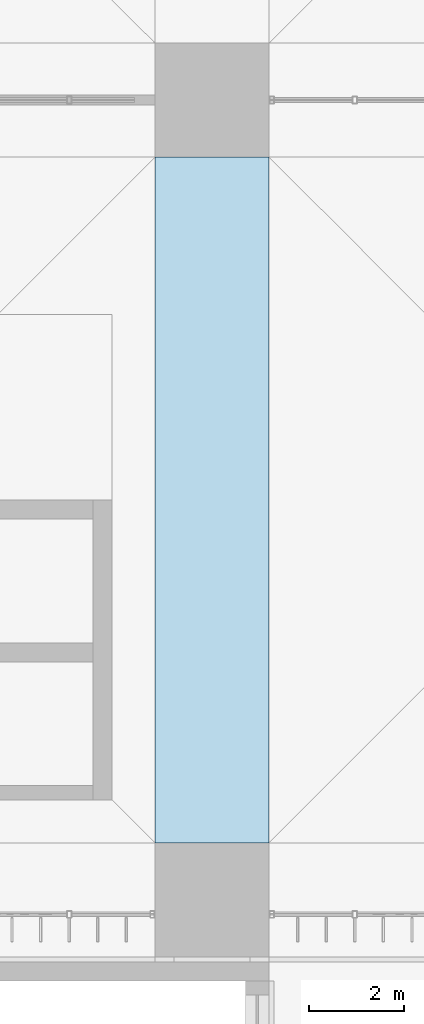
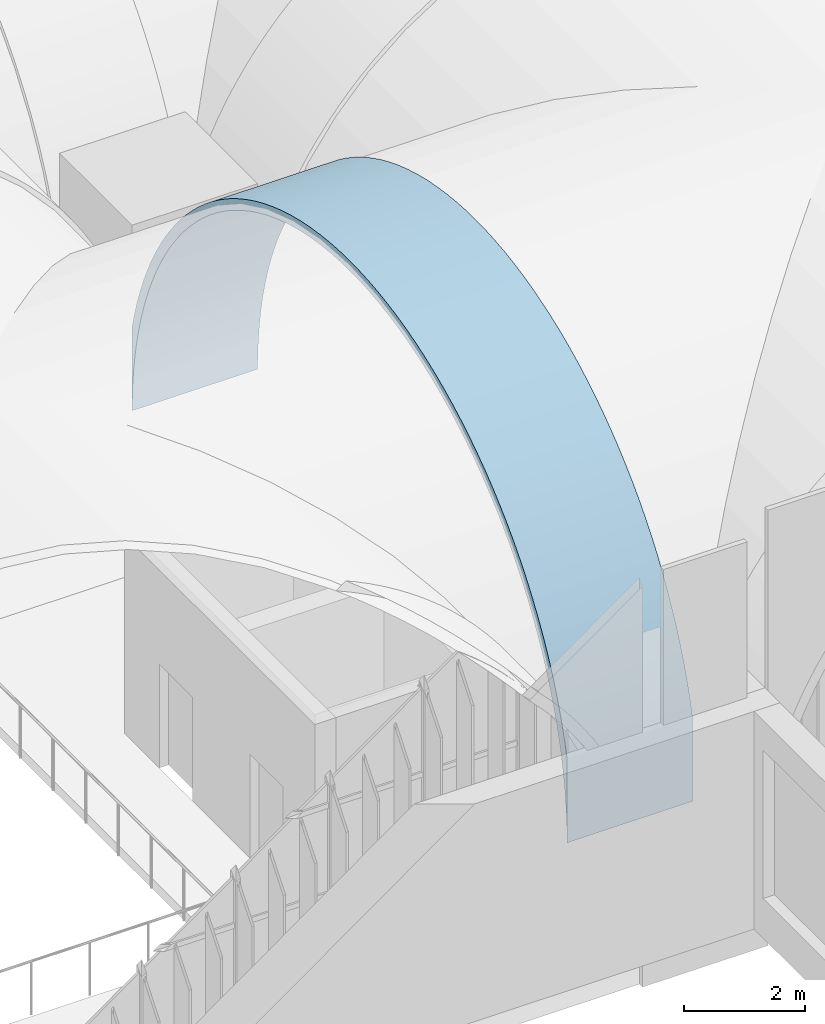
# One storey, part 129 of 169: 1 roof.
"""IFC4 building model written with IfcOpenShell, lengths in metres."""

from ifc_helpers import new_model, si_unit, direction, frame, origin, place, context, subcontext, project, spatial, polygons, material, layer, layer_set, type_object, element, save


model = new_model("IFC4")

# Units and contexts
model_context = context("Model", 3, precision=1e-05, world=origin(), true_north=direction((0.0, 1.0)))
body_context = subcontext(model_context, "Body", "Model", "MODEL_VIEW")
ifc_project = project(units=[si_unit("LENGTHUNIT", "METRE"), si_unit("AREAUNIT", "SQUARE_METRE"), si_unit("VOLUMEUNIT", "CUBIC_METRE"), si_unit("PLANEANGLEUNIT", "RADIAN"), si_unit("MASSUNIT", "GRAM", prefix="KILO")], contexts=[model_context])

# Site, building, storey
site_placement = place(None, origin())
site = spatial("IfcSite", under=ifc_project, at=site_placement, CompositionType="ELEMENT")
building_placement = place(site_placement, origin())
building = spatial("IfcBuilding", under=site, at=building_placement, Name="Verrick Yard Athletic Hall", CompositionType="ELEMENT")
storey_placement = place(building_placement, frame((0.0, 0.0, 4.39990234375)))
storey = spatial("IfcBuildingStorey", under=building, at=storey_placement, Name="L01", CompositionType="ELEMENT", Elevation=4.39990234375)

# Roof
ifc_material = material(Name="Concrete 35 MPa", Category="concrete")
ifc_layer = layer(ifc_material, 0.199951171875)
ifc_layer_set = layer_set([ifc_layer], Name="Arch rib 200")
roof_type = type_object("IfcRoofType", Name="Arch rib 200", PredefinedType="BARREL_ROOF", material=ifc_layer_set)
roof_placement = place(storey_placement, origin())
element("IfcRoof", 1, at=roof_placement, inside=storey, type_object=roof_type, Name="Vault rib X5-1", PredefinedType="BARREL_ROOF", context=body_context, shape_type="Tessellation", body=[
    polygons([(108.39990234375, 20.39990234375, 2.352294921875), (108.39990234375, 20.39990234375, 0.650146484375), (108.39990234375, 20.406982421875, 0.964111328125), (108.39990234375, 20.427490234375, 1.277587890625), (108.39990234375, 20.461669921875, 1.58984375), (108.39990234375, 20.509521484375, 1.900390625), (108.39990234375, 20.57080078125, 2.20849609375), (108.39990234375, 20.645263671875, 2.513671875), (108.39990234375, 20.733154296875, 2.815185546875), (108.39990234375, 20.834228515625, 3.112548828125), (108.39990234375, 20.947998046875, 3.405517578125), (108.39990234375, 21.07470703125, 3.693115234375), (108.39990234375, 21.21337890625, 3.974609375), (108.39990234375, 21.364501953125, 4.25), (108.39990234375, 21.527587890625, 4.518798828125), (108.39990234375, 21.7021484375, 4.77978515625), (108.39990234375, 21.887939453125, 5.033203125), (108.39990234375, 22.08447265625, 5.278076171875), (108.39990234375, 22.29150390625, 5.514404296875), (108.39990234375, 22.5087890625, 5.7412109375), (108.39990234375, 22.73583984375, 5.95849609375), (108.39990234375, 22.971923828125, 6.16552734375), (108.39990234375, 23.216796875, 6.3623046875), (108.39990234375, 23.47021484375, 6.548095703125), (108.39990234375, 23.7314453125, 6.722412109375), (108.39990234375, 24.0, 6.885498046875), (108.39990234375, 24.275390625, 7.03662109375), (108.39990234375, 24.55712890625, 7.175537109375), (108.39990234375, 24.8447265625, 7.302001953125), (108.39990234375, 25.137451171875, 7.416015625), (108.39990234375, 25.434814453125, 7.516845703125), (108.39990234375, 25.736572265625, 7.604736328125), (108.39990234375, 26.04150390625, 7.679443359375), (108.39990234375, 26.349609375, 7.74072265625), (108.39990234375, 26.66015625, 7.78857421875), (108.39990234375, 26.972412109375, 7.82275390625), (108.39990234375, 27.285888671875, 7.84326171875), (108.39990234375, 27.60009765625, 7.85009765625), (108.39990234375, 27.9140625, 7.84326171875), (108.39990234375, 28.2275390625, 7.82275390625), (108.39990234375, 28.539794921875, 7.78857421875), (108.39990234375, 28.850341796875, 7.74072265625), (108.39990234375, 29.158447265625, 7.679443359375), (108.39990234375, 29.46337890625, 7.604736328125), (108.39990234375, 29.76513671875, 7.516845703125), (108.39990234375, 30.0625, 7.416015625), (108.39990234375, 30.355224609375, 7.302001953125), (108.39990234375, 30.642822265625, 7.175537109375), (108.39990234375, 30.924560546875, 7.03662109375), (108.39990234375, 31.199951171875, 6.885498046875), (108.39990234375, 31.468505859375, 6.722412109375), (108.39990234375, 31.729736328125, 6.548095703125), (108.39990234375, 31.983154296875, 6.3623046875), (108.39990234375, 32.22802734375, 6.16552734375), (108.39990234375, 32.464111328125, 5.95849609375), (108.39990234375, 32.691162109375, 5.7412109375), (108.39990234375, 32.908447265625, 5.514404296875), (108.39990234375, 33.115478515625, 5.278076171875), (108.39990234375, 33.31201171875, 5.033203125), (108.39990234375, 33.497802734375, 4.77978515625), (108.39990234375, 33.67236328125, 4.518798828125), (108.39990234375, 33.83544921875, 4.25), (108.39990234375, 33.986572265625, 3.974609375), (108.39990234375, 34.12548828125, 3.693115234375), (108.39990234375, 34.251953125, 3.405517578125), (108.39990234375, 34.36572265625, 3.112548828125), (108.39990234375, 34.466796875, 2.815185546875), (108.39990234375, 34.5546875, 2.513671875), (108.39990234375, 34.62939453125, 2.20849609375), (108.39990234375, 34.690673828125, 1.900390625), (108.39990234375, 34.73828125, 1.58984375), (108.39990234375, 34.772705078125, 1.277587890625), (108.39990234375, 34.793212890625, 0.964111328125), (108.39990234375, 34.800048828125, 0.650146484375), (108.39990234375, 34.800048828125, 2.352294921875), (108.39990234375, 34.747802734375, 2.5654296875), (108.39990234375, 34.657470703125, 2.875244140625), (108.39990234375, 34.5537109375, 3.180908203125), (108.39990234375, 34.436767578125, 3.48193359375), (108.39990234375, 34.306640625, 3.777587890625), (108.39990234375, 34.163818359375, 4.06689453125), (108.39990234375, 34.008544921875, 4.35009765625), (108.39990234375, 33.841064453125, 4.6259765625), (108.39990234375, 33.66162109375, 4.89453125), (108.39990234375, 33.470703125, 5.15478515625), (108.39990234375, 33.268798828125, 5.40673828125), (108.39990234375, 33.055908203125, 5.6494140625), (108.39990234375, 32.83251953125, 5.8828125), (108.39990234375, 32.599365234375, 6.10595703125), (108.39990234375, 32.356689453125, 6.31884765625), (108.39990234375, 32.104736328125, 6.52099609375), (108.39990234375, 31.844482421875, 6.7119140625), (108.39990234375, 31.575927734375, 6.89111328125), (108.39990234375, 31.300048828125, 7.05859375), (108.39990234375, 31.016845703125, 7.214111328125), (108.39990234375, 30.727294921875, 7.356689453125), (108.39990234375, 30.431884765625, 7.48681640625), (108.39990234375, 30.130859375, 7.603759765625), (108.39990234375, 29.8251953125, 7.70751953125), (108.39990234375, 29.515380859375, 7.798095703125), (108.39990234375, 29.20166015625, 7.874755859375), (108.39990234375, 28.885009765625, 7.937744140625), (108.39990234375, 28.56591796875, 7.98681640625), (108.39990234375, 28.2451171875, 8.02197265625), (108.39990234375, 27.9228515625, 8.043212890625), (108.39990234375, 27.60009765625, 8.050048828125), (108.39990234375, 27.277099609375, 8.043212890625), (108.39990234375, 26.955078125, 8.02197265625), (108.39990234375, 26.634033203125, 7.98681640625), (108.39990234375, 26.31494140625, 7.937744140625), (108.39990234375, 25.998291015625, 7.874755859375), (108.39990234375, 25.684814453125, 7.798095703125), (108.39990234375, 25.374755859375, 7.70751953125), (108.39990234375, 25.069091796875, 7.603759765625), (108.39990234375, 24.76806640625, 7.48681640625), (108.39990234375, 24.47265625, 7.356689453125), (108.39990234375, 24.18310546875, 7.214111328125), (108.39990234375, 23.89990234375, 7.05859375), (108.39990234375, 23.6240234375, 6.89111328125), (108.39990234375, 23.35546875, 6.7119140625), (108.39990234375, 23.09521484375, 6.52099609375), (108.39990234375, 22.843505859375, 6.31884765625), (108.39990234375, 22.6005859375, 6.10595703125), (108.39990234375, 22.367431640625, 5.8828125), (108.39990234375, 22.14404296875, 5.6494140625), (108.39990234375, 21.931396484375, 5.40673828125), (108.39990234375, 21.729248046875, 5.15478515625), (108.39990234375, 21.538330078125, 4.89453125), (108.39990234375, 21.35888671875, 4.6259765625), (108.39990234375, 21.19140625, 4.35009765625), (108.39990234375, 21.0361328125, 4.06689453125), (108.39990234375, 20.893310546875, 3.777587890625), (108.39990234375, 20.76318359375, 3.48193359375), (108.39990234375, 20.646240234375, 3.180908203125), (108.39990234375, 20.54248046875, 2.875244140625), (108.39990234375, 20.4521484375, 2.5654296875), (106.0, 20.39990234375, 2.352294921875), (106.0, 20.39990234375, 0.650146484375), (106.0, 20.406982421875, 0.964111328125), (106.0, 20.427490234375, 1.277587890625), (106.0, 20.461669921875, 1.58984375), (106.0, 20.509521484375, 1.900390625), (106.0, 20.57080078125, 2.20849609375), (106.0, 20.645263671875, 2.513671875), (106.0, 20.733154296875, 2.815185546875), (106.0, 20.834228515625, 3.112548828125), (106.0, 20.947998046875, 3.405517578125), (106.0, 21.07470703125, 3.693115234375), (106.0, 21.21337890625, 3.974609375), (106.0, 21.364501953125, 4.25), (106.0, 21.527587890625, 4.518798828125), (106.0, 21.7021484375, 4.77978515625), (106.0, 21.887939453125, 5.033203125), (106.0, 22.08447265625, 5.278076171875), (106.0, 22.29150390625, 5.514404296875), (106.0, 22.5087890625, 5.7412109375), (106.0, 22.73583984375, 5.95849609375), (106.0, 22.971923828125, 6.16552734375), (106.0, 23.216796875, 6.3623046875), (106.0, 23.47021484375, 6.548095703125), (106.0, 23.7314453125, 6.722412109375), (106.0, 24.0, 6.885498046875), (106.0, 24.275390625, 7.03662109375), (106.0, 24.55712890625, 7.175537109375), (106.0, 24.8447265625, 7.302001953125), (106.0, 25.137451171875, 7.416015625), (106.0, 25.434814453125, 7.516845703125), (106.0, 25.736572265625, 7.604736328125), (106.0, 26.04150390625, 7.679443359375), (106.0, 26.349609375, 7.74072265625), (106.0, 26.66015625, 7.78857421875), (106.0, 26.972412109375, 7.82275390625), (106.0, 27.285888671875, 7.84326171875), (106.0, 27.60009765625, 7.85009765625), (106.0, 27.9140625, 7.84326171875), (106.0, 28.2275390625, 7.82275390625), (106.0, 28.539794921875, 7.78857421875), (106.0, 28.850341796875, 7.74072265625), (106.0, 29.158447265625, 7.679443359375), (106.0, 29.46337890625, 7.604736328125), (106.0, 29.76513671875, 7.516845703125), (106.0, 30.0625, 7.416015625), (106.0, 30.355224609375, 7.302001953125), (106.0, 30.642822265625, 7.175537109375), (106.0, 30.924560546875, 7.03662109375), (106.0, 31.199951171875, 6.885498046875), (106.0, 31.468505859375, 6.722412109375), (106.0, 31.729736328125, 6.548095703125), (106.0, 31.983154296875, 6.3623046875), (106.0, 32.22802734375, 6.16552734375), (106.0, 32.464111328125, 5.95849609375), (106.0, 32.691162109375, 5.7412109375), (106.0, 32.908447265625, 5.514404296875), (106.0, 33.115478515625, 5.278076171875), (106.0, 33.31201171875, 5.033203125), (106.0, 33.497802734375, 4.77978515625), (106.0, 33.67236328125, 4.518798828125), (106.0, 33.83544921875, 4.25), (106.0, 33.986572265625, 3.974609375), (106.0, 34.12548828125, 3.693115234375), (106.0, 34.251953125, 3.405517578125), (106.0, 34.36572265625, 3.112548828125), (106.0, 34.466796875, 2.815185546875), (106.0, 34.5546875, 2.513671875), (106.0, 34.62939453125, 2.20849609375), (106.0, 34.690673828125, 1.900390625), (106.0, 34.73828125, 1.58984375), (106.0, 34.772705078125, 1.277587890625), (106.0, 34.793212890625, 0.964111328125), (106.0, 34.800048828125, 0.650146484375), (106.0, 34.800048828125, 2.352294921875), (106.0, 34.747802734375, 2.5654296875), (106.0, 34.657470703125, 2.875244140625), (106.0, 34.5537109375, 3.180908203125), (106.0, 34.436767578125, 3.48193359375), (106.0, 34.306640625, 3.777587890625), (106.0, 34.163818359375, 4.06689453125), (106.0, 34.008544921875, 4.35009765625), (106.0, 33.841064453125, 4.6259765625), (106.0, 33.66162109375, 4.89453125), (106.0, 33.470703125, 5.15478515625), (106.0, 33.268798828125, 5.40673828125), (106.0, 33.055908203125, 5.6494140625), (106.0, 32.83251953125, 5.8828125), (106.0, 32.599365234375, 6.10595703125), (106.0, 32.356689453125, 6.31884765625), (106.0, 32.104736328125, 6.52099609375), (106.0, 31.844482421875, 6.7119140625), (106.0, 31.575927734375, 6.89111328125), (106.0, 31.300048828125, 7.05859375), (106.0, 31.016845703125, 7.214111328125), (106.0, 30.727294921875, 7.356689453125), (106.0, 30.431884765625, 7.48681640625), (106.0, 30.130859375, 7.603759765625), (106.0, 29.8251953125, 7.70751953125), (106.0, 29.515380859375, 7.798095703125), (106.0, 29.20166015625, 7.874755859375), (106.0, 28.885009765625, 7.937744140625), (106.0, 28.56591796875, 7.98681640625), (106.0, 28.2451171875, 8.02197265625), (106.0, 27.9228515625, 8.043212890625), (106.0, 27.60009765625, 8.050048828125), (106.0, 27.277099609375, 8.043212890625), (106.0, 26.955078125, 8.02197265625), (106.0, 26.634033203125, 7.98681640625), (106.0, 26.31494140625, 7.937744140625), (106.0, 25.998291015625, 7.874755859375), (106.0, 25.684814453125, 7.798095703125), (106.0, 25.374755859375, 7.70751953125), (106.0, 25.069091796875, 7.603759765625), (106.0, 24.76806640625, 7.48681640625), (106.0, 24.47265625, 7.356689453125), (106.0, 24.18310546875, 7.214111328125), (106.0, 23.89990234375, 7.05859375), (106.0, 23.6240234375, 6.89111328125), (106.0, 23.35546875, 6.7119140625), (106.0, 23.09521484375, 6.52099609375), (106.0, 22.843505859375, 6.31884765625), (106.0, 22.6005859375, 6.10595703125), (106.0, 22.367431640625, 5.8828125), (106.0, 22.14404296875, 5.6494140625), (106.0, 21.931396484375, 5.40673828125), (106.0, 21.729248046875, 5.15478515625), (106.0, 21.538330078125, 4.89453125), (106.0, 21.35888671875, 4.6259765625), (106.0, 21.19140625, 4.35009765625), (106.0, 21.0361328125, 4.06689453125), (106.0, 20.893310546875, 3.777587890625), (106.0, 20.76318359375, 3.48193359375), (106.0, 20.646240234375, 3.180908203125), (106.0, 20.54248046875, 2.875244140625), (106.0, 20.4521484375, 2.5654296875)], [[[1, 2, 3]], [[137, 139, 138]], [[136, 1, 3]], [[272, 139, 137]], [[136, 3, 4]], [[272, 140, 139]], [[136, 4, 5]], [[272, 141, 140]], [[136, 5, 6]], [[272, 142, 141]], [[136, 6, 7]], [[272, 143, 142]], [[136, 7, 8]], [[272, 144, 143]], [[136, 8, 9]], [[272, 145, 144]], [[136, 9, 10]], [[272, 146, 145]], [[136, 10, 11]], [[272, 147, 146]], [[136, 11, 12]], [[272, 148, 147]], [[136, 12, 13]], [[272, 149, 148]], [[73, 74, 75]], [[209, 211, 210]], [[72, 73, 75]], [[208, 211, 209]], [[71, 72, 75]], [[207, 211, 208]], [[70, 71, 75]], [[206, 211, 207]], [[69, 70, 75]], [[205, 211, 206]], [[68, 69, 75]], [[204, 211, 205]], [[67, 68, 75]], [[203, 211, 204]], [[66, 67, 75]], [[202, 211, 203]], [[65, 66, 75]], [[201, 211, 202]], [[64, 65, 75]], [[200, 211, 201]], [[63, 64, 75]], [[199, 211, 200]], [[63, 75, 76]], [[199, 212, 211]], [[63, 76, 77]], [[199, 213, 212]], [[62, 63, 77]], [[198, 213, 199]], [[62, 77, 78]], [[198, 214, 213]], [[61, 62, 78]], [[197, 214, 198]], [[61, 78, 79]], [[197, 215, 214]], [[60, 61, 79]], [[196, 215, 197]], [[60, 79, 80]], [[196, 216, 215]], [[59, 60, 80]], [[195, 216, 196]], [[59, 80, 81]], [[195, 217, 216]], [[58, 59, 81]], [[194, 217, 195]], [[58, 81, 82]], [[194, 218, 217]], [[57, 58, 82]], [[193, 218, 194]], [[57, 82, 83]], [[193, 219, 218]], [[56, 57, 83]], [[192, 219, 193]], [[56, 83, 84]], [[192, 220, 219]], [[55, 56, 84]], [[191, 220, 192]], [[55, 84, 85]], [[191, 221, 220]], [[54, 55, 85]], [[190, 221, 191]], [[54, 85, 86]], [[190, 222, 221]], [[53, 54, 86]], [[189, 222, 190]], [[53, 86, 87]], [[189, 223, 222]], [[52, 53, 87]], [[188, 223, 189]], [[52, 87, 88]], [[188, 224, 223]], [[51, 52, 88]], [[187, 224, 188]], [[51, 88, 89]], [[187, 225, 224]], [[50, 51, 89]], [[186, 225, 187]], [[50, 89, 90]], [[186, 226, 225]], [[49, 50, 90]], [[185, 226, 186]], [[49, 90, 91]], [[185, 227, 226]], [[48, 49, 91]], [[184, 227, 185]], [[48, 91, 92]], [[184, 228, 227]], [[47, 48, 92]], [[183, 228, 184]], [[47, 92, 93]], [[183, 229, 228]], [[46, 47, 93]], [[182, 229, 183]], [[46, 93, 94]], [[182, 230, 229]], [[45, 46, 94]], [[181, 230, 182]], [[45, 94, 95]], [[181, 231, 230]], [[44, 45, 95]], [[180, 231, 181]], [[44, 95, 96]], [[180, 232, 231]], [[43, 44, 96]], [[179, 232, 180]], [[43, 96, 97]], [[179, 233, 232]], [[42, 43, 97]], [[178, 233, 179]], [[42, 97, 98]], [[178, 234, 233]], [[41, 42, 98]], [[177, 234, 178]], [[41, 98, 99]], [[177, 235, 234]], [[40, 41, 99]], [[176, 235, 177]], [[40, 99, 100]], [[176, 236, 235]], [[39, 40, 100]], [[175, 236, 176]], [[39, 100, 101]], [[175, 237, 236]], [[38, 39, 101]], [[174, 237, 175]], [[38, 101, 102]], [[174, 238, 237]], [[37, 38, 102]], [[173, 238, 174]], [[37, 102, 103]], [[173, 239, 238]], [[36, 37, 103]], [[172, 239, 173]], [[36, 103, 104]], [[172, 240, 239]], [[35, 36, 104]], [[171, 240, 172]], [[35, 104, 105]], [[171, 241, 240]], [[34, 35, 105]], [[170, 241, 171]], [[34, 105, 106]], [[170, 242, 241]], [[33, 34, 106]], [[169, 242, 170]], [[33, 106, 107]], [[169, 243, 242]], [[32, 33, 107]], [[168, 243, 169]], [[32, 107, 108]], [[168, 244, 243]], [[31, 32, 108]], [[167, 244, 168]], [[31, 108, 109]], [[167, 245, 244]], [[30, 31, 109]], [[166, 245, 167]], [[30, 109, 110]], [[166, 246, 245]], [[29, 30, 110]], [[165, 246, 166]], [[29, 110, 111]], [[165, 247, 246]], [[28, 29, 111]], [[164, 247, 165]], [[28, 111, 112]], [[164, 248, 247]], [[27, 28, 112]], [[163, 248, 164]], [[27, 112, 113]], [[163, 249, 248]], [[26, 27, 113]], [[162, 249, 163]], [[26, 113, 114]], [[162, 250, 249]], [[25, 26, 114]], [[161, 250, 162]], [[25, 114, 115]], [[161, 251, 250]], [[24, 25, 115]], [[160, 251, 161]], [[24, 115, 116]], [[160, 252, 251]], [[23, 24, 116]], [[159, 252, 160]], [[23, 116, 117]], [[159, 253, 252]], [[22, 23, 117]], [[158, 253, 159]], [[22, 117, 118]], [[158, 254, 253]], [[21, 22, 118]], [[157, 254, 158]], [[21, 118, 119]], [[157, 255, 254]], [[20, 21, 119]], [[156, 255, 157]], [[20, 119, 120]], [[156, 256, 255]], [[19, 20, 120]], [[155, 256, 156]], [[19, 120, 121]], [[155, 257, 256]], [[18, 19, 121]], [[154, 257, 155]], [[18, 121, 122]], [[154, 258, 257]], [[17, 18, 122]], [[153, 258, 154]], [[17, 122, 123]], [[153, 259, 258]], [[16, 17, 123]], [[152, 259, 153]], [[16, 123, 124]], [[152, 260, 259]], [[15, 16, 124]], [[151, 260, 152]], [[15, 124, 125]], [[151, 261, 260]], [[14, 15, 125]], [[150, 261, 151]], [[14, 125, 126]], [[150, 262, 261]], [[13, 14, 126]], [[149, 262, 150]], [[136, 13, 126]], [[272, 262, 149]], [[136, 126, 127]], [[272, 263, 262]], [[136, 127, 128]], [[272, 264, 263]], [[136, 128, 129]], [[272, 265, 264]], [[136, 129, 130]], [[272, 266, 265]], [[136, 130, 131]], [[272, 267, 266]], [[136, 131, 132]], [[272, 268, 267]], [[136, 132, 133]], [[272, 269, 268]], [[136, 133, 134]], [[272, 270, 269]], [[134, 135, 136]], [[270, 272, 271]], [[1, 138, 2]], [[1, 137, 138]], [[2, 139, 3]], [[2, 138, 139]], [[3, 140, 4]], [[3, 139, 140]], [[4, 141, 5]], [[4, 140, 141]], [[5, 142, 6]], [[5, 141, 142]], [[6, 143, 7]], [[6, 142, 143]], [[7, 144, 8]], [[7, 143, 144]], [[8, 145, 9]], [[8, 144, 145]], [[9, 146, 10]], [[9, 145, 146]], [[10, 147, 11]], [[10, 146, 147]], [[11, 148, 12]], [[11, 147, 148]], [[12, 149, 13]], [[12, 148, 149]], [[13, 150, 14]], [[13, 149, 150]], [[14, 151, 15]], [[14, 150, 151]], [[15, 152, 16]], [[15, 151, 152]], [[16, 153, 17]], [[16, 152, 153]], [[17, 154, 18]], [[17, 153, 154]], [[18, 155, 19]], [[18, 154, 155]], [[19, 156, 20]], [[19, 155, 156]], [[20, 157, 21]], [[20, 156, 157]], [[21, 158, 22]], [[21, 157, 158]], [[22, 159, 23]], [[22, 158, 159]], [[23, 160, 24]], [[23, 159, 160]], [[24, 161, 25]], [[24, 160, 161]], [[25, 162, 26]], [[25, 161, 162]], [[26, 163, 27]], [[26, 162, 163]], [[27, 164, 28]], [[27, 163, 164]], [[28, 165, 29]], [[28, 164, 165]], [[29, 166, 30]], [[29, 165, 166]], [[30, 167, 31]], [[30, 166, 167]], [[31, 168, 32]], [[31, 167, 168]], [[32, 169, 33]], [[32, 168, 169]], [[33, 170, 34]], [[33, 169, 170]], [[34, 171, 35]], [[34, 170, 171]], [[35, 172, 36]], [[35, 171, 172]], [[36, 173, 37]], [[36, 172, 173]], [[37, 174, 38]], [[37, 173, 174]], [[38, 175, 39]], [[38, 174, 175]], [[39, 176, 40]], [[39, 175, 176]], [[40, 177, 41]], [[40, 176, 177]], [[41, 178, 42]], [[41, 177, 178]], [[42, 179, 43]], [[42, 178, 179]], [[43, 180, 44]], [[43, 179, 180]], [[44, 181, 45]], [[44, 180, 181]], [[45, 182, 46]], [[45, 181, 182]], [[46, 183, 47]], [[46, 182, 183]], [[47, 184, 48]], [[47, 183, 184]], [[48, 185, 49]], [[48, 184, 185]], [[49, 186, 50]], [[49, 185, 186]], [[50, 187, 51]], [[50, 186, 187]], [[51, 188, 52]], [[51, 187, 188]], [[52, 189, 53]], [[52, 188, 189]], [[53, 190, 54]], [[53, 189, 190]], [[54, 191, 55]], [[54, 190, 191]], [[55, 192, 56]], [[55, 191, 192]], [[56, 193, 57]], [[56, 192, 193]], [[57, 194, 58]], [[57, 193, 194]], [[58, 195, 59]], [[58, 194, 195]], [[59, 196, 60]], [[59, 195, 196]], [[60, 197, 61]], [[60, 196, 197]], [[61, 198, 62]], [[61, 197, 198]], [[62, 199, 63]], [[62, 198, 199]], [[63, 200, 64]], [[63, 199, 200]], [[64, 201, 65]], [[64, 200, 201]], [[65, 202, 66]], [[65, 201, 202]], [[66, 203, 67]], [[66, 202, 203]], [[67, 204, 68]], [[67, 203, 204]], [[68, 205, 69]], [[68, 204, 205]], [[69, 206, 70]], [[69, 205, 206]], [[70, 207, 71]], [[70, 206, 207]], [[71, 208, 72]], [[71, 207, 208]], [[72, 209, 73]], [[72, 208, 209]], [[73, 210, 74]], [[73, 209, 210]], [[74, 211, 75]], [[74, 210, 211]], [[75, 212, 76]], [[75, 211, 212]], [[76, 213, 77]], [[76, 212, 213]], [[77, 214, 78]], [[77, 213, 214]], [[78, 215, 79]], [[78, 214, 215]], [[79, 216, 80]], [[79, 215, 216]], [[80, 217, 81]], [[80, 216, 217]], [[81, 218, 82]], [[81, 217, 218]], [[82, 219, 83]], [[82, 218, 219]], [[83, 220, 84]], [[83, 219, 220]], [[84, 221, 85]], [[84, 220, 221]], [[85, 222, 86]], [[85, 221, 222]], [[86, 223, 87]], [[86, 222, 223]], [[87, 224, 88]], [[87, 223, 224]], [[88, 225, 89]], [[88, 224, 225]], [[89, 226, 90]], [[89, 225, 226]], [[90, 227, 91]], [[90, 226, 227]], [[91, 228, 92]], [[91, 227, 228]], [[92, 229, 93]], [[92, 228, 229]], [[93, 230, 94]], [[93, 229, 230]], [[94, 231, 95]], [[94, 230, 231]], [[95, 232, 96]], [[95, 231, 232]], [[96, 233, 97]], [[96, 232, 233]], [[97, 234, 98]], [[97, 233, 234]], [[98, 235, 99]], [[98, 234, 235]], [[99, 236, 100]], [[99, 235, 236]], [[100, 237, 101]], [[100, 236, 237]], [[101, 238, 102]], [[101, 237, 238]], [[102, 239, 103]], [[102, 238, 239]], [[103, 240, 104]], [[103, 239, 240]], [[104, 241, 105]], [[104, 240, 241]], [[105, 242, 106]], [[105, 241, 242]], [[106, 243, 107]], [[106, 242, 243]], [[107, 244, 108]], [[107, 243, 244]], [[108, 245, 109]], [[108, 244, 245]], [[109, 246, 110]], [[109, 245, 246]], [[110, 247, 111]], [[110, 246, 247]], [[111, 248, 112]], [[111, 247, 248]], [[112, 249, 113]], [[112, 248, 249]], [[113, 250, 114]], [[113, 249, 250]], [[114, 251, 115]], [[114, 250, 251]], [[115, 252, 116]], [[115, 251, 252]], [[116, 253, 117]], [[116, 252, 253]], [[117, 254, 118]], [[117, 253, 254]], [[118, 255, 119]], [[118, 254, 255]], [[119, 256, 120]], [[119, 255, 256]], [[120, 257, 121]], [[120, 256, 257]], [[121, 258, 122]], [[121, 257, 258]], [[122, 259, 123]], [[122, 258, 259]], [[123, 260, 124]], [[123, 259, 260]], [[124, 261, 125]], [[124, 260, 261]], [[125, 262, 126]], [[125, 261, 262]], [[126, 263, 127]], [[126, 262, 263]], [[127, 264, 128]], [[127, 263, 264]], [[128, 265, 129]], [[128, 264, 265]], [[129, 266, 130]], [[129, 265, 266]], [[130, 267, 131]], [[130, 266, 267]], [[131, 268, 132]], [[131, 267, 268]], [[132, 269, 133]], [[132, 268, 269]], [[133, 270, 134]], [[133, 269, 270]], [[134, 271, 135]], [[134, 270, 271]], [[135, 272, 136]], [[135, 271, 272]], [[136, 137, 1]], [[136, 272, 137]]], closed=True),
])

save(model, "model.ifc")
